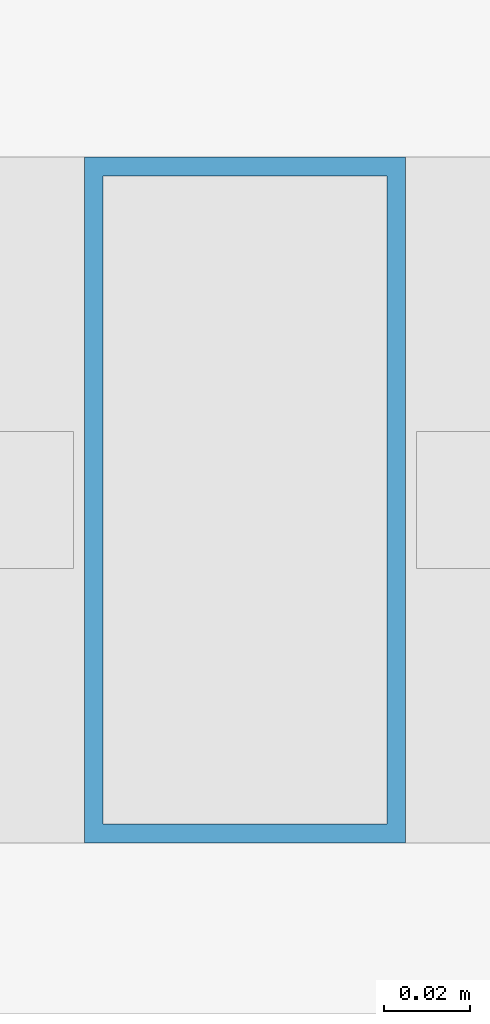
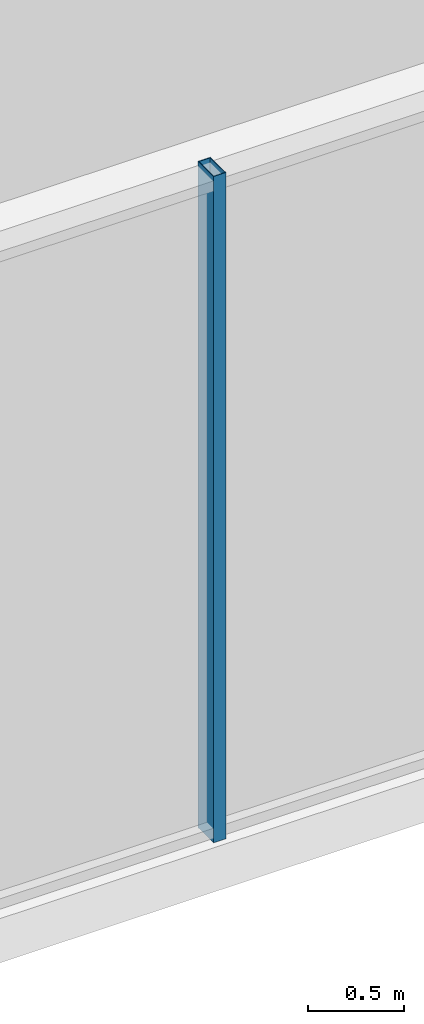
# One storey, part 16 of 47: 1 member, 1 element without a shape of its own.
"""IFC4 building model written with IfcOpenShell, lengths in metres."""

import ifcopenshell
import ifcopenshell.guid

model = None  # the IFC model being written
_history = None  # IfcOwnerHistory: only IFC2X3 demands one
_inside = {}  # id of a spatial element -> (the spatial element, [elements in it])
_under = {}  # id of a project, library or spatial element -> (it, [spatial elements below it])
_declared = {}  # id of a project -> (the project, [libraries it declares])
_typed = {}  # id of a type object -> (the type object, [elements of that type])
_made_of = {}  # id of a material, layer set ... -> (it, [elements and type objects made of it])


def new_model(schema):
    """Start an empty IFC model of exactly this schema.

    Asked for "IFC4X3", IfcOpenShell would pick the latest addendum, in which some entities
    have other attributes; the version numbers below select the first issue.
    IFC2X3 requires an IfcOwnerHistory on every rooted entity: one is made here for all.
    """
    global model, _history
    if schema == "IFC4X3":
        model = ifcopenshell.file(schema_version=(4, 3, 0, 0))
    else:
        model = ifcopenshell.file(schema=schema)
    _inside.clear()
    _under.clear()
    _declared.clear()
    _typed.clear()
    _made_of.clear()
    _history = None
    if model.schema == "IFC2X3":
        org = make("IfcOrganization", Name="unknown")
        user = make(
            "IfcPersonAndOrganization",
            ThePerson=make("IfcPerson", FamilyName="unknown"),
            TheOrganization=org,
        )
        app = make(
            "IfcApplication",
            ApplicationDeveloper=org,
            Version="unknown",
            ApplicationFullName="unknown",
            ApplicationIdentifier="unknown",
        )
        _history = make(
            "IfcOwnerHistory",
            OwningUser=user,
            OwningApplication=app,
            ChangeAction="ADDED",
            CreationDate=0,
        )
    return model


def make(cls, **values):
    """One entity of the class cls with the attributes given. An attribute that is None is left unset."""
    return model.create_entity(
        cls, **{name: value for name, value in values.items() if value is not None}
    )


def rooted(cls, **values):
    """An entity with a GlobalId (a new one), such as an element, a storey or a relation."""
    return make(cls, GlobalId=ifcopenshell.guid.new(), OwnerHistory=_history, **values)


def si_unit(unit_type, name, prefix=None):
    """IfcSIUnit, for example si_unit("LENGTHUNIT", "METRE", prefix="MILLI")."""
    return make("IfcSIUnit", UnitType=unit_type, Prefix=prefix, Name=name)


def assignment(units):
    """IfcUnitAssignment: the units of a project."""
    return None if units is None else make("IfcUnitAssignment", Units=units)


def point(xyz):
    """IfcCartesianPoint."""
    return None if xyz is None else make("IfcCartesianPoint", Coordinates=xyz)


def direction(xyz):
    """IfcDirection."""
    return None if xyz is None else make("IfcDirection", DirectionRatios=xyz)


def frame(location, z_axis=None, x_axis=None):
    """IfcAxis2Placement3D, a coordinate frame: its origin and axes. An axis left out is left unset."""
    return make(
        "IfcAxis2Placement3D",
        Location=point(location),
        Axis=direction(z_axis),
        RefDirection=direction(x_axis),
    )


def frame_2d(location, x_axis=None):
    """IfcAxis2Placement2D, a coordinate frame in the plane: its origin and x axis."""
    return make(
        "IfcAxis2Placement2D", Location=point(location), RefDirection=direction(x_axis)
    )


def origin():
    """The frame at (0, 0, 0) with its axes left unset."""
    return frame((0.0, 0.0, 0.0))


def origin_2d():
    """The frame at (0, 0) in the plane with its x axis left unset."""
    return frame_2d((0.0, 0.0))


def place(relative_to, where):
    """IfcLocalPlacement: puts the frame where relative to a parent placement (None: the world)."""
    return make(
        "IfcLocalPlacement", PlacementRelTo=relative_to, RelativePlacement=where
    )


def context(
    kind, dimensions, precision=None, world=None, true_north=None, identifier=None
):
    """IfcGeometricRepresentationContext, for example the 3D "Model" context."""
    return make(
        "IfcGeometricRepresentationContext",
        ContextIdentifier=identifier,
        ContextType=kind,
        CoordinateSpaceDimension=dimensions,
        Precision=precision,
        WorldCoordinateSystem=world,
        TrueNorth=true_north,
    )


def subcontext(parent, identifier, kind, view, scale=None):
    """IfcGeometricRepresentationSubContext, for example "Body" below "Model"."""
    return make(
        "IfcGeometricRepresentationSubContext",
        ContextIdentifier=identifier,
        ContextType=kind,
        ParentContext=parent,
        TargetScale=scale,
        TargetView=view,
    )


def project(units=None, contexts=None):
    """IfcProject with its units and contexts."""
    return rooted(
        "IfcProject",
        Name="project",
        RepresentationContexts=contexts,
        UnitsInContext=assignment(units),
    )


def spatial(cls, under=None, at=None, **own):
    """A site, building, storey or space (cls), placed at a placement, below another one or the project."""
    s = rooted(cls, ObjectPlacement=at, **own)
    if under is not None:
        _under.setdefault(under.id(), (under, []))[1].append(s)
    return s


def profile(cls, at=None, kind="AREA", **sizes):
    """A parametric profile (cls). Its sizes go by their IFC names, for example OverallWidth=200.0."""
    return make(cls, ProfileType=kind, Position=at, **sizes)


def hollow_rectangle(**sizes):
    """IfcRectangleHollowProfileDef."""
    return profile("IfcRectangleHollowProfileDef", **sizes)


def extrude(swept, where, along, depth):
    """IfcExtrudedAreaSolid: the profile swept, set in the frame where, extruded along a direction by depth."""
    return make(
        "IfcExtrudedAreaSolid",
        SweptArea=swept,
        Position=where,
        ExtrudedDirection=direction(along),
        Depth=depth,
    )


def shape(context_of_items, identifier, shape_type, items):
    """IfcShapeRepresentation: the items that make up one representation, for example the "Body"."""
    return make(
        "IfcShapeRepresentation",
        ContextOfItems=context_of_items,
        RepresentationIdentifier=identifier,
        RepresentationType=shape_type,
        Items=items,
    )


def material(Name=None, Category=None):
    """IfcMaterial."""
    return make("IfcMaterial", Name=Name, Category=Category)


def material_profile(
    of_material, cross_section, Name=None, Category=None, Priority=None
):
    """IfcMaterialProfile: a cross section and its material."""
    return make(
        "IfcMaterialProfile",
        Name=Name,
        Material=of_material,
        Profile=cross_section,
        Priority=Priority,
        Category=Category,
    )


def profile_set(profiles, Name=None, composite=None):
    """IfcMaterialProfileSet."""
    return make(
        "IfcMaterialProfileSet",
        Name=Name,
        MaterialProfiles=profiles,
        CompositeProfile=composite,
    )


def made_of(thing, what):
    """Note that an element or type object is made of a material, layer set ...; save() writes the relation."""
    if what is not None:
        _made_of.setdefault(what.id(), (what, []))[1].append(thing)
    return thing


def type_object(cls, material=None, **own):
    """A type object (cls), such as IfcWallType, which elements share."""
    return made_of(rooted(cls, **own), material)


def element(
    cls,
    number,
    at=None,
    inside=None,
    cuts=None,
    type_object=None,
    material=None,
    context=None,
    identifier="Body",
    shape_type=None,
    held_by="IfcProductDefinitionShape",
    body=None,
    shapes=None,
    **own,
):
    """One element of the class cls, such as IfcWall. Its Tag is "e" and its number.

    at: its placement. inside: the storey or other place that contains it. cuts: it is an
    opening in that element (IfcRelVoidsElement). A single representation is given by context,
    identifier, shape_type and body (its items); several are given by shapes. held_by: the class
    of the entity that holds the representations. save() writes the other relations.
    """
    e = rooted(cls, Tag="e%d" % number, ObjectPlacement=at, **own)
    if body is not None:
        shapes = [shape(context, identifier, shape_type, body)]
    if shapes is not None:
        e.Representation = make(held_by, Representations=shapes)
    if inside is not None:
        _inside.setdefault(inside.id(), (inside, []))[1].append(e)
    if cuts is not None:
        rooted(
            "IfcRelVoidsElement", RelatingBuildingElement=cuts, RelatedOpeningElement=e
        )
    if type_object is not None:
        _typed.setdefault(type_object.id(), (type_object, []))[1].append(e)
    return made_of(e, material)


def aggregate(whole, parts):
    """IfcRelAggregates: a whole, such as a stair, and the parts it consists of."""
    return rooted("IfcRelAggregates", RelatingObject=whole, RelatedObjects=parts)


def save(model, path):
    """Write the relations noted so far, then the file.

    IfcRelAggregates (storeys below a building ...), IfcRelContainedInSpatialStructure (elements
    in a storey), IfcRelDefinesByType, IfcRelAssociatesMaterial and IfcRelDeclares: one each for
    every whole, place, type object, material and project.
    """
    for whole, parts in _under.values():
        aggregate(whole, parts)
    for where, things in _inside.values():
        rooted(
            "IfcRelContainedInSpatialStructure",
            RelatedElements=things,
            RelatingStructure=where,
        )
    for kind, things in _typed.values():
        rooted("IfcRelDefinesByType", RelatedObjects=things, RelatingType=kind)
    for what, things in _made_of.values():
        rooted("IfcRelAssociatesMaterial", RelatedObjects=things, RelatingMaterial=what)
    for by, libraries in _declared.values():
        rooted("IfcRelDeclares", RelatingContext=by, RelatedDefinitions=libraries)
    model.write(path)


model = new_model("IFC4")

# Units and contexts
model_context = context("Model", 3, precision=1e-05, world=origin(), true_north=direction((0.0, 1.0)))
body_context = subcontext(model_context, "Body", "Model", "MODEL_VIEW")
ifc_project = project(units=[si_unit("LENGTHUNIT", "METRE"), si_unit("AREAUNIT", "SQUARE_METRE"), si_unit("VOLUMEUNIT", "CUBIC_METRE"), si_unit("PLANEANGLEUNIT", "RADIAN"), si_unit("MASSUNIT", "GRAM", prefix="KILO")], contexts=[model_context])

# Site, building, storey
site_placement = place(None, origin())
site = spatial("IfcSite", under=ifc_project, at=site_placement, CompositionType="ELEMENT")
building_placement = place(site_placement, origin())
building = spatial("IfcBuilding", under=site, at=building_placement, Name="Kolvaren Belvedere", CompositionType="ELEMENT")
storey_placement = place(building_placement, frame((0.0, 0.0, 5.5)))
storey = spatial("IfcBuildingStorey", under=building, at=storey_placement, Name="L02", CompositionType="ELEMENT", Elevation=5.5)

# Curtain wall, member
ifc_material_1 = material(Name="Anodised pale-metal aluminium AA 6063-T6", Category="aluminium")
curtain_wall_type = type_object("IfcCurtainWallType", Name="CW-POD-A", PredefinedType="NOTDEFINED", material=ifc_material_1)
curtain_wall_placement = place(storey_placement, origin())
curtain_wall = element("IfcCurtainWall", 1, at=curtain_wall_placement, inside=storey, type_object=curtain_wall_type, Name="L02 Unitised Curtain Wall FCW-L02-SEG3", PredefinedType="NOTDEFINED")
ifc_material_2 = material(Name="Anodised pale-metal aluminium AA 6063-T6", Category="aluminium")
ifc_material_profile = material_profile(ifc_material_2, hollow_rectangle(XDim=0.074951171875, YDim=0.159912109375, WallThickness=0.00439453125, at=origin_2d()), Name="ALU-MUL-160X75")
ifc_profile_set = profile_set([ifc_material_profile], Name="Anodised pale-metal aluminium AA 6063-T6")
member_type = type_object("IfcMemberType", Name="CW-MUL-160", PredefinedType="MULLION", material=ifc_profile_set)
member_placement = place(storey_placement, frame((6.0, -18.280029296875, 0.0), z_axis=(0.0, 0.0, 1.0), x_axis=(1.0, 0.0, 0.0)))
member = element("IfcMember", 2, at=member_placement, type_object=member_type, Name="FCW-L02-SEG3 Unitised Mullion 2", PredefinedType="MULLION", context=body_context, shape_type="SweptSolid", body=[
    extrude(hollow_rectangle(XDim=0.074951171875, YDim=0.159912109375, WallThickness=0.00439453125, at=origin_2d()), origin(), (0.0, 0.0, 1.0), 4.219970703125),
])
aggregate(curtain_wall, [member])

save(model, "model.ifc")
